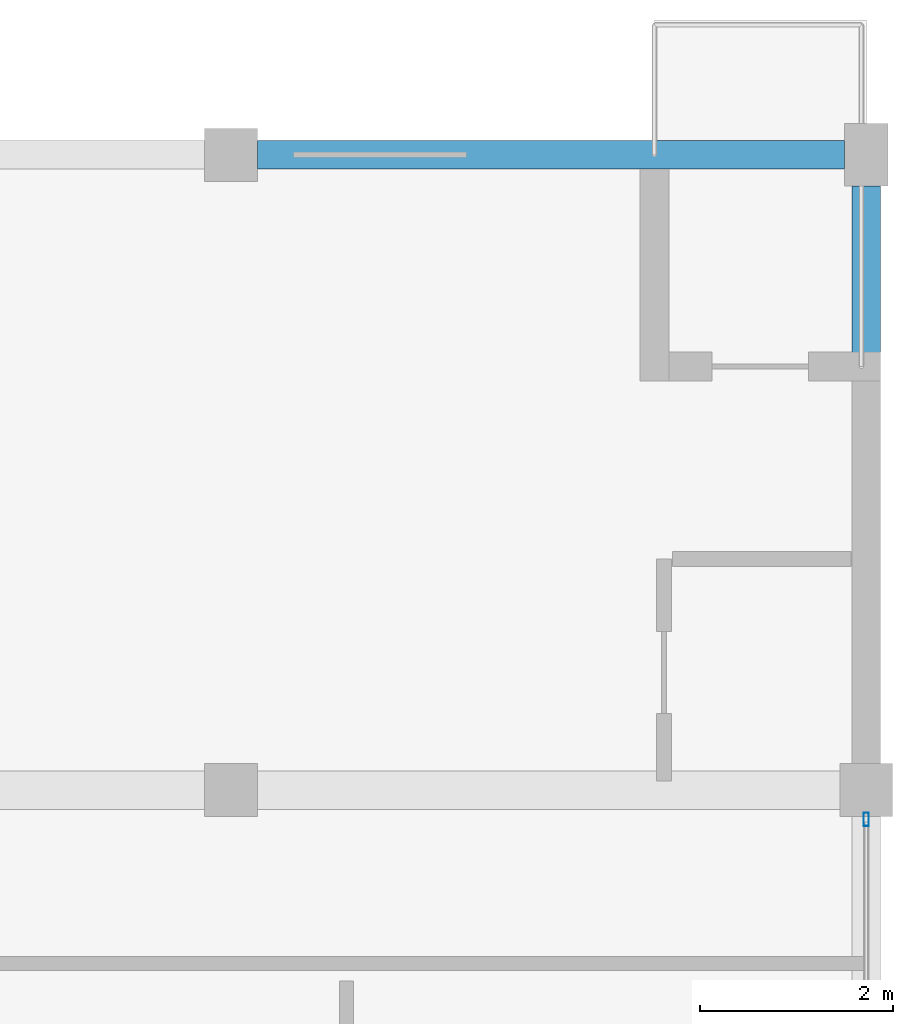
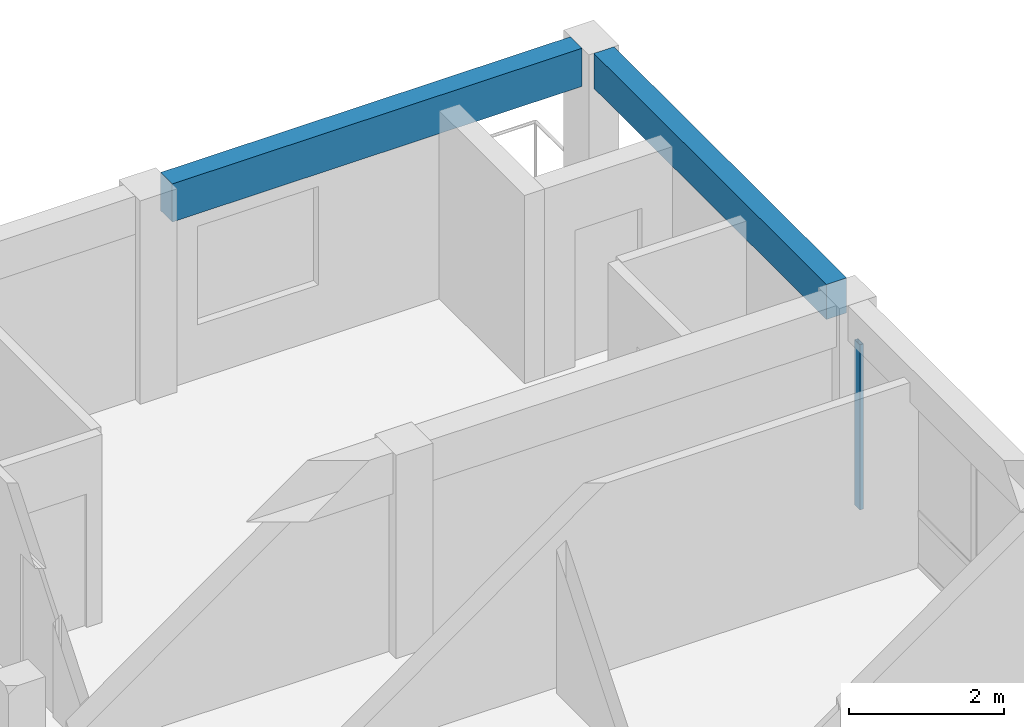
# One storey, part 23 of 52: 2 beams, 1 member, 1 element without a shape of its own.
"""IFC4 building model written with IfcOpenShell, lengths in metres."""

from ifc_helpers import new_model, si_unit, direction, frame, origin, origin_2d, place, context, subcontext, project, spatial, rectangle, hollow_rectangle, extrude, material, material_profile, profile_set, type_object, element, aggregate, save


model = new_model("IFC4")

# Units and contexts
model_context = context("Model", 3, precision=1e-05, world=origin(), true_north=direction((0.0, 1.0)))
body_context = subcontext(model_context, "Body", "Model", "MODEL_VIEW")
ifc_project = project(units=[si_unit("LENGTHUNIT", "METRE"), si_unit("AREAUNIT", "SQUARE_METRE"), si_unit("VOLUMEUNIT", "CUBIC_METRE"), si_unit("PLANEANGLEUNIT", "RADIAN"), si_unit("MASSUNIT", "GRAM", prefix="KILO")], contexts=[model_context])

# Site, building, storey
site_placement = place(None, origin())
site = spatial("IfcSite", under=ifc_project, at=site_placement, CompositionType="ELEMENT")
building_placement = place(site_placement, origin())
building = spatial("IfcBuilding", under=site, at=building_placement, Name="Kernevlak Ridge Housing Community", CompositionType="ELEMENT")
storey_placement = place(building_placement, frame((0.0, 0.0, 11.60009765625)))
storey = spatial("IfcBuildingStorey", under=building, at=storey_placement, Name="L03", CompositionType="ELEMENT", Elevation=11.60009765625)

# Curtain wall, member
ifc_material_1 = material(Name="Aluminium EN AW-6060 anodised and laminated glass", Category="aluminium")
curtain_wall_type = type_object("IfcCurtainWallType", Name="CW-11", PredefinedType="NOTDEFINED", material=ifc_material_1)
curtain_wall_placement = place(storey_placement, origin())
curtain_wall = element("IfcCurtainWall", 1, at=curtain_wall_placement, inside=storey, type_object=curtain_wall_type, Name="Curtain wall CW-11 CW-L03-066", PredefinedType="NOTDEFINED")
ifc_material_2 = material(Name="Aluminium EN AW-6060 anodised", Category="aluminium")
ifc_material_profile_1 = material_profile(ifc_material_2, hollow_rectangle(XDim=0.054931640625, YDim=0.139892578125, WallThickness=0.00390625, InnerFilletRadius=0.001953125, OuterFilletRadius=0.00390625, at=origin_2d()), Name="ALU 55x140x4")
ifc_profile_set_1 = profile_set([ifc_material_profile_1], Name="Aluminium EN AW-6060 anodised")
member_type = type_object("IfcMemberType", Name="MU-01", PredefinedType="MULLION", material=ifc_profile_set_1)
member_placement = place(storey_placement, frame((152.39990234375, 95.49755859375, 0.0), z_axis=(0.0, 0.0, 1.0), x_axis=(-1.0, 0.0, 0.0)))
member = element("IfcMember", 2, at=member_placement, type_object=member_type, Name="CW-11 mullion 3", PredefinedType="MULLION", context=body_context, shape_type="SweptSolid", body=[
    extrude(hollow_rectangle(XDim=0.054931640625, YDim=0.139892578125, WallThickness=0.00390625, InnerFilletRadius=0.001953125, OuterFilletRadius=0.00390625, at=origin_2d()), origin(), (0.0, 0.0, 1.0), 2.599853515625),
])
aggregate(curtain_wall, [member])

# Beams
ifc_material_3 = material(Name="Concrete C35/45", Category="concrete")
ifc_material_profile_2 = material_profile(ifc_material_3, rectangle(XDim=0.300048828125, YDim=0.550048828125, at=origin_2d()), Name="RC 300x550")
ifc_profile_set_2 = profile_set([ifc_material_profile_2], Name="Concrete C35/45")
beam_type_1 = type_object("IfcBeamType", Name="SP-01", PredefinedType="SPANDREL", material=ifc_profile_set_2)
beam_1_placement = place(storey_placement, frame((152.39990234375, 96.074951171875, 2.9248046875), z_axis=(0.0, 1.0, 0.0), x_axis=(-1.0, 0.0, 0.0)))
element("IfcBeam", 3, at=beam_1_placement, inside=storey, type_object=beam_type_1, Name="Beam SP-01 L03 680", PredefinedType="SPANDREL", context=body_context, shape_type="SweptSolid", body=[
    extrude(rectangle(XDim=0.300048828125, YDim=0.550048828125, at=origin_2d()), origin(), (0.0, 0.0, 1.0), 6.0),
])
ifc_material_profile_3 = material_profile(ifc_material_3, rectangle(XDim=0.300048828125, YDim=0.60009765625, at=origin_2d()), Name="RC 300x600")
ifc_profile_set_3 = profile_set([ifc_material_profile_3], Name="Concrete C35/45")
beam_type_2 = type_object("IfcBeamType", Name="SP-02", PredefinedType="SPANDREL", material=ifc_profile_set_3)
beam_2_placement = place(storey_placement, frame((146.074951171875, 102.39990234375, 2.89990234375), z_axis=(1.0, 0.0, 0.0), x_axis=(0.0, 1.0, 0.0)))
element("IfcBeam", 4, at=beam_2_placement, inside=storey, type_object=beam_type_2, Name="Beam SP-02 L03 674", PredefinedType="SPANDREL", context=body_context, shape_type="SweptSolid", body=[
    extrude(rectangle(XDim=0.300048828125, YDim=0.60009765625, at=origin_2d()), origin(), (0.0, 0.0, 1.0), 6.10009765625),
])

save(model, "model.ifc")
